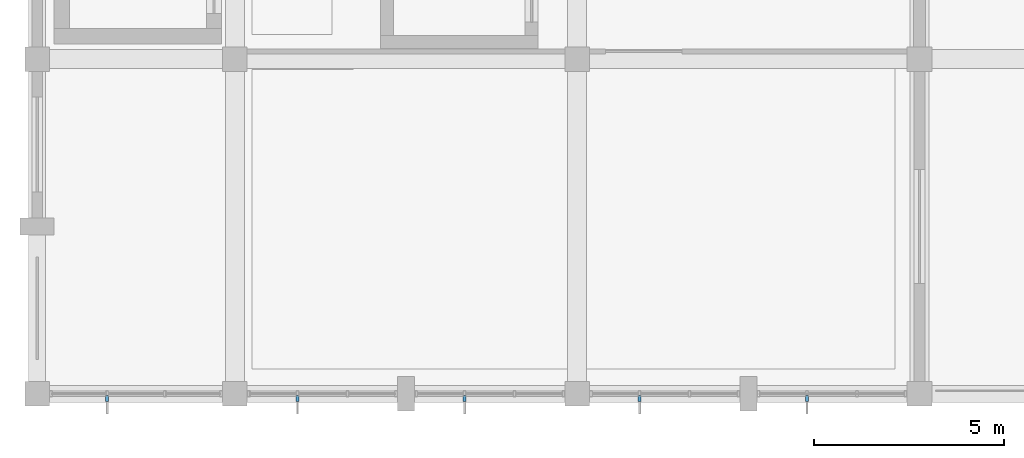
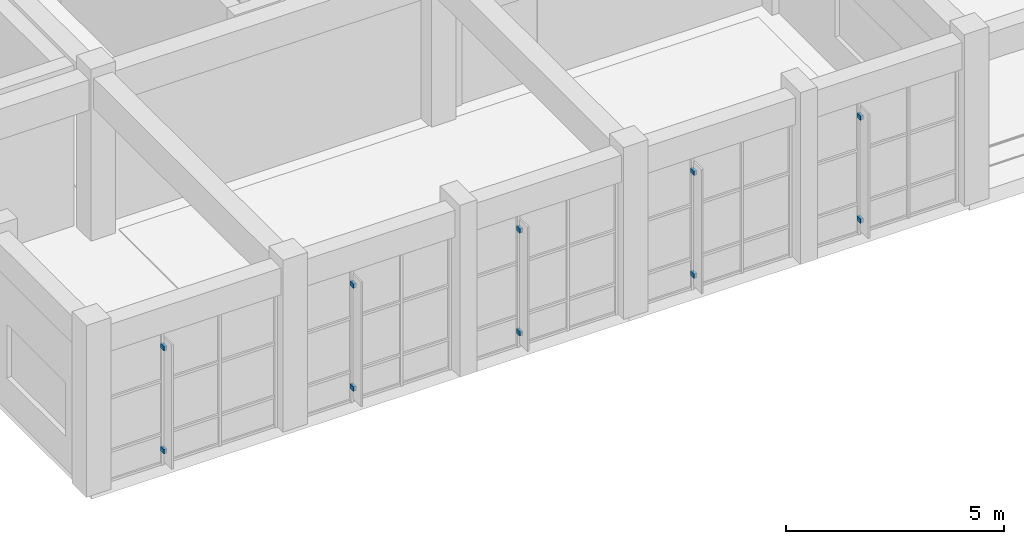
# One storey, part 89 of 104: 10 discrete accessories.
"""IFC4 building model written with IfcOpenShell, lengths in metres."""

from ifc_helpers import new_model, si_unit, direction, frame, origin, origin_2d, place, context, subcontext, project, spatial, rectangle, extrude, material, type_object, element, save


model = new_model("IFC4")

# Units and contexts
model_context = context("Model", 3, precision=1e-05, world=origin(), true_north=direction((0.0, 1.0)))
body_context = subcontext(model_context, "Body", "Model", "MODEL_VIEW")
ifc_project = project(units=[si_unit("LENGTHUNIT", "METRE"), si_unit("AREAUNIT", "SQUARE_METRE"), si_unit("VOLUMEUNIT", "CUBIC_METRE"), si_unit("PLANEANGLEUNIT", "RADIAN"), si_unit("MASSUNIT", "GRAM", prefix="KILO")], contexts=[model_context])

# Site, building, storey
site_placement = place(None, origin())
site = spatial("IfcSite", under=ifc_project, at=site_placement, CompositionType="ELEMENT")
building_placement = place(site_placement, origin())
building = spatial("IfcBuilding", under=site, at=building_placement, Name="Ventoquebrada Cableway Terminal", CompositionType="ELEMENT")
storey_placement = place(building_placement, frame((0.0, 0.0, 4.800048828125)))
storey = spatial("IfcBuildingStorey", under=building, at=storey_placement, Name="L01", CompositionType="ELEMENT", Elevation=4.800048828125)

# Discrete accessories
ifc_material = material(Name="Anodized thermally-broken aluminium", Category="aluminium")
discrete_accessory_type = type_object("IfcDiscreteAccessoryType", Name="BRK-01", PredefinedType="BRACKET", material=ifc_material)
for number, where, z_axis, x_axis, name in (
    (1, (4.843017578125, 2.8798828125, 0.389892578125), (0.0, 0.0, 1.0), (1.0, 0.0, 0.0), "Sunshade bracket FN-001"),
    (2, (4.843017578125, 2.8798828125, 3.264892578125), (0.0, 0.0, 1.0), (1.0, 0.0, 0.0), "Sunshade bracket FN-001"),
    (3, (9.843017578125, 2.8798828125, 0.389892578125), (0.0, 0.0, 1.0), (1.0, 0.0, 0.0), "Sunshade bracket FN-002"),
    (4, (9.843017578125, 2.8798828125, 3.264892578125), (0.0, 0.0, 1.0), (1.0, 0.0, 0.0), "Sunshade bracket FN-002"),
    (5, (14.242919921875, 2.8798828125, 0.389892578125), (0.0, 0.0, 1.0), (1.0, 0.0, 0.0), "Sunshade bracket FN-003"),
    (6, (14.242919921875, 2.8798828125, 3.264892578125), (0.0, 0.0, 1.0), (1.0, 0.0, 0.0), "Sunshade bracket FN-003"),
    (7, (18.843017578125, 2.8798828125, 0.389892578125), (0.0, 0.0, 1.0), (1.0, 0.0, 0.0), "Sunshade bracket FN-004"),
    (8, (18.843017578125, 2.8798828125, 3.264892578125), (0.0, 0.0, 1.0), (1.0, 0.0, 0.0), "Sunshade bracket FN-004"),
    (9, (23.242919921875, 2.8798828125, 0.389892578125), (0.0, 0.0, 1.0), (1.0, 0.0, 0.0), "Sunshade bracket FN-005"),
    (10, (23.242919921875, 2.8798828125, 3.264892578125), (0.0, 0.0, 1.0), (1.0, 0.0, 0.0), "Sunshade bracket FN-005"),
):
    element("IfcDiscreteAccessory", number, at=place(storey_placement, frame(where, z_axis=z_axis, x_axis=x_axis)), inside=storey, type_object=discrete_accessory_type, Name=name, PredefinedType="BRACKET", context=body_context, shape_type="SweptSolid", body=[
        extrude(rectangle(XDim=0.080078125, YDim=0.159912109375, at=origin_2d()), origin(), (0.0, 0.0, 1.0), 0.1201171875),
    ])

save(model, "model.ifc")
